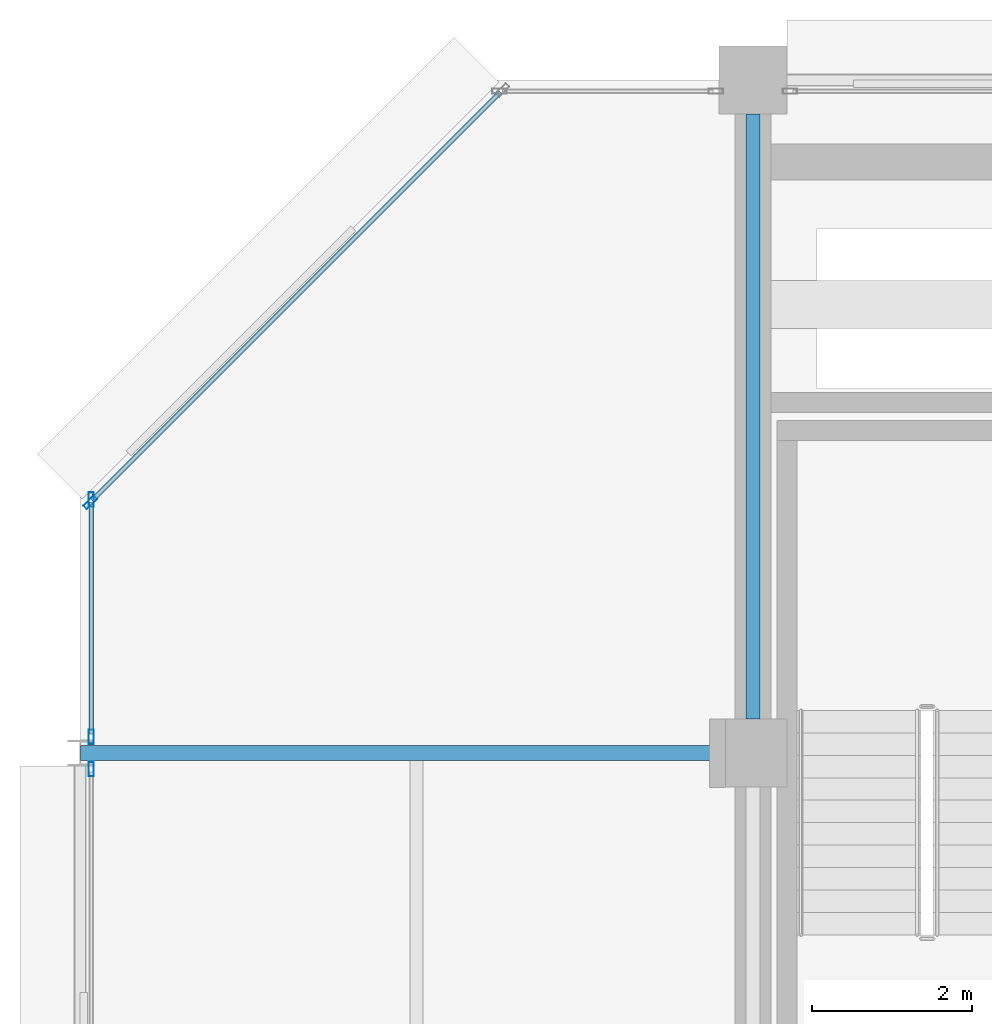
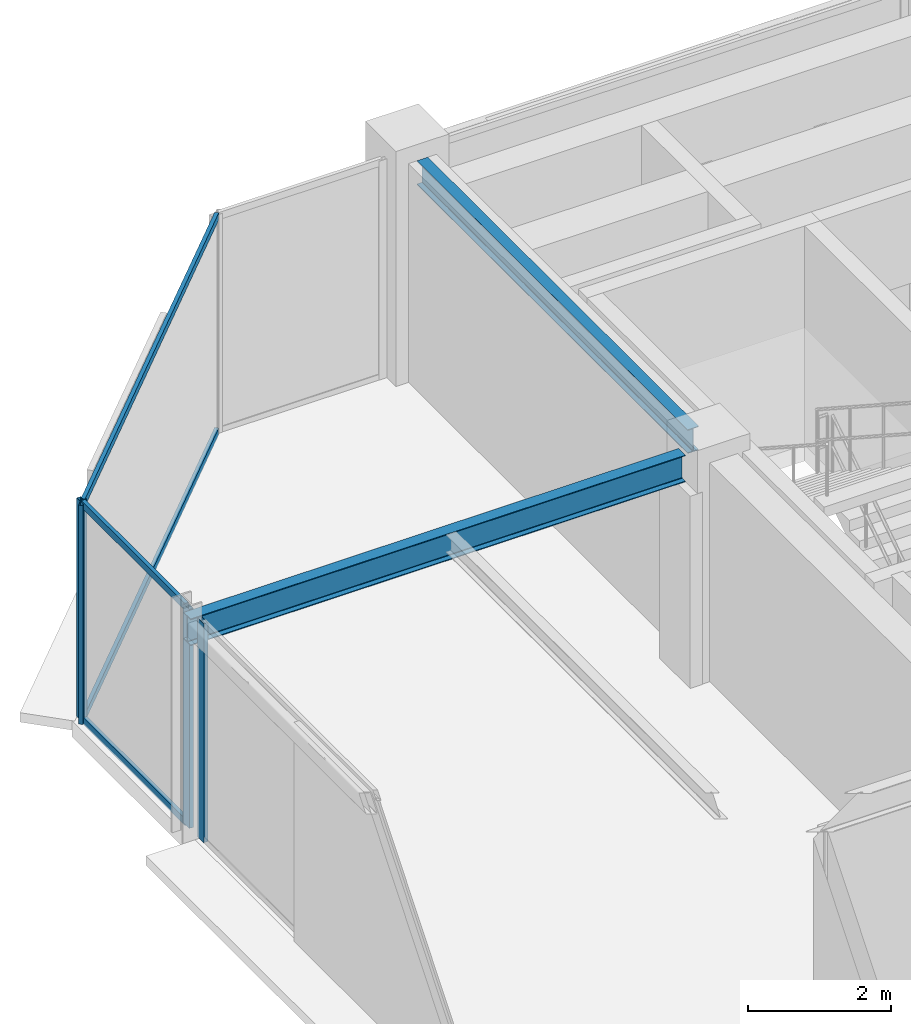
# One storey, part 17 of 27: 8 members, 2 beams, 3 elements without a shape of their own.
"""IFC4 building model written with IfcOpenShell, lengths in metres."""

from ifc_helpers import new_model, si_unit, direction, frame, origin, origin_2d, place, context, subcontext, project, spatial, hollow_rectangle, i_section, extrude, material, layer, layer_set, material_profile, profile_set, type_object, element, aggregate, save


model = new_model("IFC4")

# Units and contexts
model_context = context("Model", 3, precision=1e-05, world=origin(), true_north=direction((0.0, 1.0)))
body_context = subcontext(model_context, "Body", "Model", "MODEL_VIEW")
ifc_project = project(units=[si_unit("LENGTHUNIT", "METRE"), si_unit("AREAUNIT", "SQUARE_METRE"), si_unit("VOLUMEUNIT", "CUBIC_METRE"), si_unit("PLANEANGLEUNIT", "RADIAN"), si_unit("MASSUNIT", "GRAM", prefix="KILO")], contexts=[model_context])

# Site, building, storey
site_placement = place(None, origin())
site = spatial("IfcSite", under=ifc_project, at=site_placement, CompositionType="ELEMENT")
building_placement = place(site_placement, origin())
building = spatial("IfcBuilding", under=site, at=building_placement, Name="Nerrivon Quay Data Exchange", CompositionType="ELEMENT")
storey_placement = place(building_placement, frame((0.0, 0.0, 254.199951171875)))
storey = spatial("IfcBuildingStorey", under=building, at=storey_placement, Name="L60", CompositionType="ELEMENT", Elevation=254.199951171875)

# Beams
ifc_material_1 = material(Name="Steel Grade 350", Category="steel")
ifc_material_profile_1 = material_profile(ifc_material_1, i_section(OverallWidth=0.18994140625, OverallDepth=0.4541015625, WebThickness=0.008544921875, FlangeThickness=0.0126953125, FilletRadius=0.011474609375, at=origin_2d()), Name="460UB67.1")
ifc_profile_set_1 = profile_set([ifc_material_profile_1], Name="Steel Grade 350")
beam_type_1 = type_object("IfcBeamType", Name="BM-G6-460UB67", PredefinedType="BEAM", material=ifc_profile_set_1)
beam_1_placement = place(storey_placement, frame((0.0078125, 33.60009765625, 3.498046875), z_axis=(1.0, 0.0, 0.0), x_axis=(0.0, 1.0, 0.0)))
element("IfcBeam", 1, at=beam_1_placement, inside=storey, type_object=beam_type_1, Name="L60 EW Girder Y=33.6 (0.0..8.4)", PredefinedType="BEAM", context=body_context, shape_type="SweptSolid", body=[
    extrude(i_section(OverallWidth=0.18994140625, OverallDepth=0.4541015625, WebThickness=0.008544921875, FlangeThickness=0.0126953125, FilletRadius=0.011474609375, at=origin_2d()), origin(), (0.0, 0.0, 1.0), 7.96728515625),
])
ifc_material_profile_2 = material_profile(ifc_material_1, i_section(OverallWidth=0.177978515625, OverallDepth=0.406005859375, WebThickness=0.0078125, FlangeThickness=0.0126953125, FilletRadius=0.011474609375, at=origin_2d()), Name="410UB59.7")
ifc_profile_set_2 = profile_set([ifc_material_profile_2], Name="Steel Grade 350")
beam_type_2 = type_object("IfcBeamType", Name="BM-J1-410UB60", PredefinedType="JOIST", material=ifc_profile_set_2)
beam_2_placement = place(storey_placement, frame((8.39990234375, 34.02490234375, 3.52197265625), z_axis=(0.0, 1.0, 0.0), x_axis=(-1.0, 0.0, 0.0)))
element("IfcBeam", 2, at=beam_2_placement, inside=storey, type_object=beam_type_2, Name="L60 NS Girder X=8.4 (33.6..42.0)", PredefinedType="JOIST", context=body_context, shape_type="SweptSolid", body=[
    extrude(i_section(OverallWidth=0.177978515625, OverallDepth=0.406005859375, WebThickness=0.0078125, FlangeThickness=0.0126953125, FilletRadius=0.011474609375, at=origin_2d()), origin(), (0.0, 0.0, 1.0), 7.550048828125),
])

# Curtain wall, member
ifc_material_2 = material(Name="Anodised aluminium 6063-T6", Category="aluminium")
ifc_layer = layer(ifc_material_2, 0.195068359375)
ifc_layer_set = layer_set([ifc_layer], Name="Anodised aluminium 6063-T6")
curtain_wall_type = type_object("IfcCurtainWallType", Name="CW-SYS-06", PredefinedType="NOTDEFINED", material=ifc_layer_set)
curtain_wall_1_placement = place(storey_placement, origin())
curtain_wall_1 = element("IfcCurtainWall", 3, at=curtain_wall_1_placement, inside=storey, type_object=curtain_wall_type, Name="L60 Unitised Curtain Wall 14", PredefinedType="NOTDEFINED")
ifc_material_profile_3 = material_profile(ifc_material_2, hollow_rectangle(XDim=0.06494140625, YDim=0.179931640625, WallThickness=0.00341796875, at=origin_2d()), Name="ALU-MULL-180x65")
ifc_profile_set_3 = profile_set([ifc_material_profile_3], Name="Anodised aluminium 6063-T6")
member_type_1 = type_object("IfcMemberType", Name="CWM-180x65", PredefinedType="MULLION", material=ifc_profile_set_3)
member_1_placement = place(storey_placement, frame((0.139892578125, 33.39892578125, 0.0), z_axis=(0.0, 0.0, 1.0), x_axis=(-1.0, 0.0, 0.0)))
member_1 = element("IfcMember", 4, at=member_1_placement, type_object=member_type_1, Name="CW06 mullion 2", PredefinedType="MULLION", context=body_context, shape_type="SweptSolid", body=[
    extrude(hollow_rectangle(XDim=0.06494140625, YDim=0.179931640625, WallThickness=0.00341796875, at=origin_2d()), origin(), (0.0, 0.0, 1.0), 3.72509765625),
])
aggregate(curtain_wall_1, [member_1])

# Curtain wall, members
curtain_wall_2_placement = place(storey_placement, origin())
curtain_wall_2 = element("IfcCurtainWall", 5, at=curtain_wall_2_placement, inside=storey, type_object=curtain_wall_type, Name="L60 Unitised Curtain Wall 15", PredefinedType="NOTDEFINED")
member_2_placement = place(storey_placement, frame((0.139892578125, 33.801025390625, 0.0), z_axis=(0.0, 0.0, 1.0), x_axis=(-1.0, 0.0, 0.0)))
member_2 = element("IfcMember", 6, at=member_2_placement, type_object=member_type_1, Name="CW06 mullion 1", PredefinedType="MULLION", context=body_context, shape_type="SweptSolid", body=[
    extrude(hollow_rectangle(XDim=0.06494140625, YDim=0.179931640625, WallThickness=0.00341796875, at=origin_2d()), origin(), (0.0, 0.0, 1.0), 3.72509765625),
])
member_3_placement = place(storey_placement, frame((0.139892578125, 36.762451171875, 0.0), z_axis=(0.0, 0.0, 1.0), x_axis=(-1.0, 0.0, 0.0)))
member_3 = element("IfcMember", 7, at=member_3_placement, type_object=member_type_1, Name="CW06 mullion 2", PredefinedType="MULLION", context=body_context, shape_type="SweptSolid", body=[
    extrude(hollow_rectangle(XDim=0.06494140625, YDim=0.179931640625, WallThickness=0.00341796875, at=origin_2d()), origin(), (0.0, 0.0, 1.0), 3.72509765625),
])

# Curtain wall, member
curtain_wall_3_placement = place(storey_placement, origin())
curtain_wall_3 = element("IfcCurtainWall", 8, at=curtain_wall_3_placement, inside=storey, type_object=curtain_wall_type, Name="L60 Unitised Curtain Wall 16", PredefinedType="NOTDEFINED")
member_4_placement = place(storey_placement, frame((0.12548828125, 36.7275390625, 0.0), z_axis=(0.0, 0.0, 1.0), x_axis=(-0.707106781187, 0.707106781187, 0.0)))
member_4 = element("IfcMember", 9, at=member_4_placement, type_object=member_type_1, Name="CW06 mullion 1", PredefinedType="MULLION", context=body_context, shape_type="SweptSolid", body=[
    extrude(hollow_rectangle(XDim=0.06494140625, YDim=0.179931640625, WallThickness=0.00341796875, at=origin_2d()), origin(), (0.0, 0.0, 1.0), 3.72509765625),
])

# Member
ifc_material_profile_4 = material_profile(ifc_material_2, hollow_rectangle(XDim=0.06005859375, YDim=0.1201171875, WallThickness=0.003173828125, at=origin_2d()), Name="ALU-TRAN-120x60")
ifc_profile_set_4 = profile_set([ifc_material_profile_4], Name="Anodised aluminium 6063-T6")
member_type_2 = type_object("IfcMemberType", Name="CWT-120x60", PredefinedType="USERDEFINED", material=ifc_profile_set_4)
member_5_placement = place(storey_placement, frame((0.139892578125, 33.83837890625, 0.032470703125), z_axis=(0.0, 1.0, 0.0), x_axis=(-1.0, 0.0, 0.0)))
member_5 = element("IfcMember", 10, at=member_5_placement, type_object=member_type_2, Name="CW06 transom 1.1", ObjectType="TRANSOM", PredefinedType="USERDEFINED", context=body_context, shape_type="SweptSolid", body=[
    extrude(hollow_rectangle(XDim=0.06005859375, YDim=0.1201171875, WallThickness=0.003173828125, at=origin_2d()), origin(), (0.0, 0.0, 1.0), 2.88671875),
])

member_6_placement = place(storey_placement, frame((0.139892578125, 33.83837890625, 3.692626953125), z_axis=(0.0, 1.0, 0.0), x_axis=(-1.0, 0.0, 0.0)))
member_6 = element("IfcMember", 11, at=member_6_placement, type_object=member_type_2, Name="CW06 transom 1.2", ObjectType="TRANSOM", PredefinedType="USERDEFINED", context=body_context, shape_type="SweptSolid", body=[
    extrude(hollow_rectangle(XDim=0.06005859375, YDim=0.1201171875, WallThickness=0.003173828125, at=origin_2d()), origin(), (0.0, 0.0, 1.0), 2.88671875),
])

aggregate(curtain_wall_2, [member_2, member_3, member_5, member_6])

member_7_placement = place(storey_placement, frame((0.152099609375, 36.754150390625, 0.032470703125), z_axis=(0.707106781187, 0.707106781187, 0.0), x_axis=(-0.707106781187, 0.707106781187, 0.0)))
member_7 = element("IfcMember", 12, at=member_7_placement, type_object=member_type_2, Name="CW06 transom 1.1", ObjectType="TRANSOM", PredefinedType="USERDEFINED", context=body_context, shape_type="SweptSolid", body=[
    extrude(hollow_rectangle(XDim=0.06005859375, YDim=0.1201171875, WallThickness=0.003173828125, at=origin_2d()), origin(), (0.0, 0.0, 1.0), 7.20361328125),
])

member_8_placement = place(storey_placement, frame((0.152099609375, 36.754150390625, 3.692626953125), z_axis=(0.707106781187, 0.707106781187, 0.0), x_axis=(-0.707106781187, 0.707106781187, 0.0)))
member_8 = element("IfcMember", 13, at=member_8_placement, type_object=member_type_2, Name="CW06 transom 1.2", ObjectType="TRANSOM", PredefinedType="USERDEFINED", context=body_context, shape_type="SweptSolid", body=[
    extrude(hollow_rectangle(XDim=0.06005859375, YDim=0.1201171875, WallThickness=0.003173828125, at=origin_2d()), origin(), (0.0, 0.0, 1.0), 7.20361328125),
])

aggregate(curtain_wall_3, [member_4, member_7, member_8])

save(model, "model.ifc")
